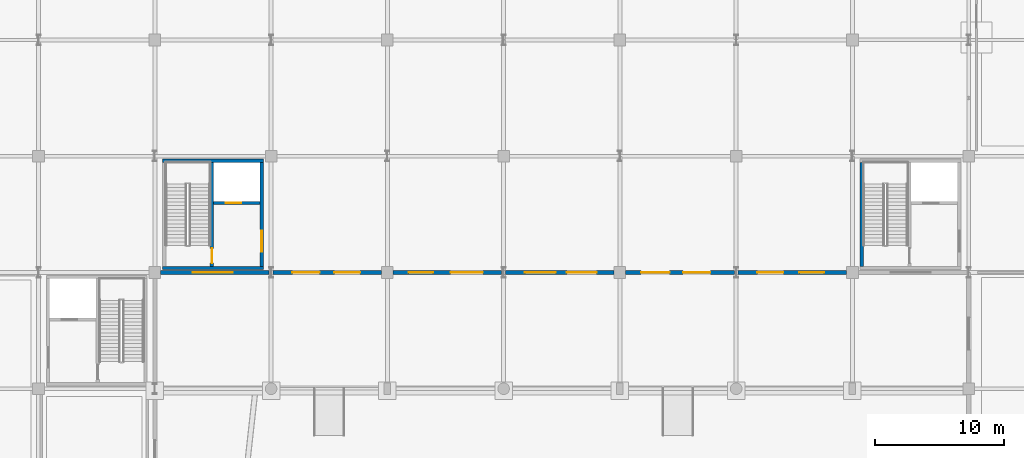
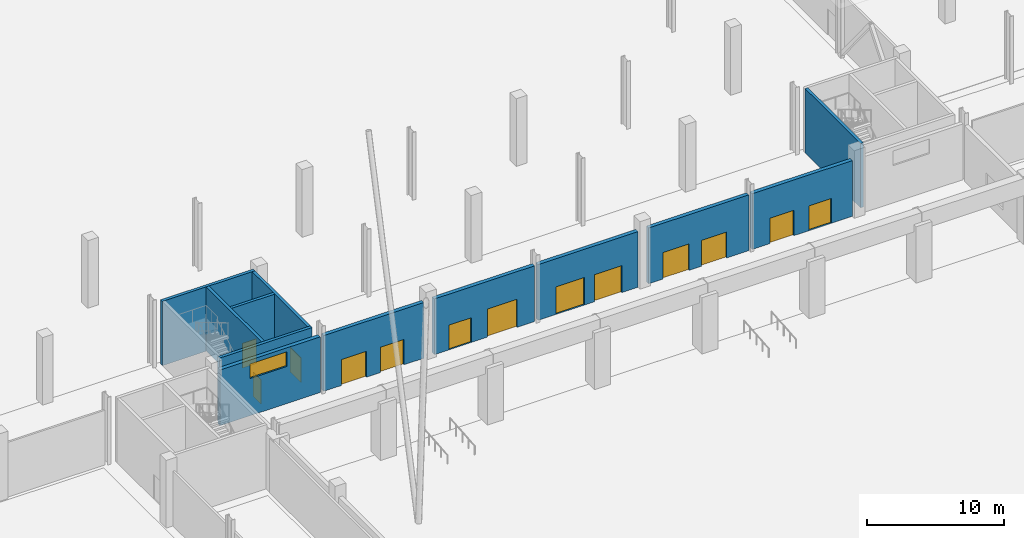
# One storey, part 31 of 58: 13 doors, 12 walls, 1 window, 14 openings.
"""IFC4 building model written with IfcOpenShell, lengths in metres."""

import ifcopenshell
import ifcopenshell.guid

model = None  # the IFC model being written
_history = None  # IfcOwnerHistory: only IFC2X3 demands one
_inside = {}  # id of a spatial element -> (the spatial element, [elements in it])
_under = {}  # id of a project, library or spatial element -> (it, [spatial elements below it])
_declared = {}  # id of a project -> (the project, [libraries it declares])
_typed = {}  # id of a type object -> (the type object, [elements of that type])
_made_of = {}  # id of a material, layer set ... -> (it, [elements and type objects made of it])


def new_model(schema):
    """Start an empty IFC model of exactly this schema.

    Asked for "IFC4X3", IfcOpenShell would pick the latest addendum, in which some entities
    have other attributes; the version numbers below select the first issue.
    IFC2X3 requires an IfcOwnerHistory on every rooted entity: one is made here for all.
    """
    global model, _history
    if schema == "IFC4X3":
        model = ifcopenshell.file(schema_version=(4, 3, 0, 0))
    else:
        model = ifcopenshell.file(schema=schema)
    _inside.clear()
    _under.clear()
    _declared.clear()
    _typed.clear()
    _made_of.clear()
    _history = None
    if model.schema == "IFC2X3":
        org = make("IfcOrganization", Name="unknown")
        user = make(
            "IfcPersonAndOrganization",
            ThePerson=make("IfcPerson", FamilyName="unknown"),
            TheOrganization=org,
        )
        app = make(
            "IfcApplication",
            ApplicationDeveloper=org,
            Version="unknown",
            ApplicationFullName="unknown",
            ApplicationIdentifier="unknown",
        )
        _history = make(
            "IfcOwnerHistory",
            OwningUser=user,
            OwningApplication=app,
            ChangeAction="ADDED",
            CreationDate=0,
        )
    return model


def make(cls, **values):
    """One entity of the class cls with the attributes given. An attribute that is None is left unset."""
    return model.create_entity(
        cls, **{name: value for name, value in values.items() if value is not None}
    )


def rooted(cls, **values):
    """An entity with a GlobalId (a new one), such as an element, a storey or a relation."""
    return make(cls, GlobalId=ifcopenshell.guid.new(), OwnerHistory=_history, **values)


def si_unit(unit_type, name, prefix=None):
    """IfcSIUnit, for example si_unit("LENGTHUNIT", "METRE", prefix="MILLI")."""
    return make("IfcSIUnit", UnitType=unit_type, Prefix=prefix, Name=name)


def assignment(units):
    """IfcUnitAssignment: the units of a project."""
    return None if units is None else make("IfcUnitAssignment", Units=units)


def point(xyz):
    """IfcCartesianPoint."""
    return None if xyz is None else make("IfcCartesianPoint", Coordinates=xyz)


def direction(xyz):
    """IfcDirection."""
    return None if xyz is None else make("IfcDirection", DirectionRatios=xyz)


def frame(location, z_axis=None, x_axis=None):
    """IfcAxis2Placement3D, a coordinate frame: its origin and axes. An axis left out is left unset."""
    return make(
        "IfcAxis2Placement3D",
        Location=point(location),
        Axis=direction(z_axis),
        RefDirection=direction(x_axis),
    )


def frame_2d(location, x_axis=None):
    """IfcAxis2Placement2D, a coordinate frame in the plane: its origin and x axis."""
    return make(
        "IfcAxis2Placement2D", Location=point(location), RefDirection=direction(x_axis)
    )


def origin():
    """The frame at (0, 0, 0) with its axes left unset."""
    return frame((0.0, 0.0, 0.0))


def place(relative_to, where):
    """IfcLocalPlacement: puts the frame where relative to a parent placement (None: the world)."""
    return make(
        "IfcLocalPlacement", PlacementRelTo=relative_to, RelativePlacement=where
    )


def context(
    kind, dimensions, precision=None, world=None, true_north=None, identifier=None
):
    """IfcGeometricRepresentationContext, for example the 3D "Model" context."""
    return make(
        "IfcGeometricRepresentationContext",
        ContextIdentifier=identifier,
        ContextType=kind,
        CoordinateSpaceDimension=dimensions,
        Precision=precision,
        WorldCoordinateSystem=world,
        TrueNorth=true_north,
    )


def subcontext(parent, identifier, kind, view, scale=None):
    """IfcGeometricRepresentationSubContext, for example "Body" below "Model"."""
    return make(
        "IfcGeometricRepresentationSubContext",
        ContextIdentifier=identifier,
        ContextType=kind,
        ParentContext=parent,
        TargetScale=scale,
        TargetView=view,
    )


def project(units=None, contexts=None):
    """IfcProject with its units and contexts."""
    return rooted(
        "IfcProject",
        Name="project",
        RepresentationContexts=contexts,
        UnitsInContext=assignment(units),
    )


def spatial(cls, under=None, at=None, **own):
    """A site, building, storey or space (cls), placed at a placement, below another one or the project."""
    s = rooted(cls, ObjectPlacement=at, **own)
    if under is not None:
        _under.setdefault(under.id(), (under, []))[1].append(s)
    return s


def profile(cls, at=None, kind="AREA", **sizes):
    """A parametric profile (cls). Its sizes go by their IFC names, for example OverallWidth=200.0."""
    return make(cls, ProfileType=kind, Position=at, **sizes)


def rectangle(**sizes):
    """IfcRectangleProfileDef."""
    return profile("IfcRectangleProfileDef", **sizes)


def extrude(swept, where, along, depth):
    """IfcExtrudedAreaSolid: the profile swept, set in the frame where, extruded along a direction by depth."""
    return make(
        "IfcExtrudedAreaSolid",
        SweptArea=swept,
        Position=where,
        ExtrudedDirection=direction(along),
        Depth=depth,
    )


def shape(context_of_items, identifier, shape_type, items):
    """IfcShapeRepresentation: the items that make up one representation, for example the "Body"."""
    return make(
        "IfcShapeRepresentation",
        ContextOfItems=context_of_items,
        RepresentationIdentifier=identifier,
        RepresentationType=shape_type,
        Items=items,
    )


def material(Name=None, Category=None):
    """IfcMaterial."""
    return make("IfcMaterial", Name=Name, Category=Category)


def layer(
    of_material, thickness, ventilated=None, Name=None, Category=None, Priority=None
):
    """IfcMaterialLayer: one layer of a wall or slab, of a material (None: an air gap)."""
    return make(
        "IfcMaterialLayer",
        Material=of_material,
        LayerThickness=thickness,
        IsVentilated=ventilated,
        Name=Name,
        Category=Category,
        Priority=Priority,
    )


def layer_set(layers, Name=None):
    """IfcMaterialLayerSet."""
    return make("IfcMaterialLayerSet", MaterialLayers=layers, LayerSetName=Name)


def made_of(thing, what):
    """Note that an element or type object is made of a material, layer set ...; save() writes the relation."""
    if what is not None:
        _made_of.setdefault(what.id(), (what, []))[1].append(thing)
    return thing


def type_object(cls, material=None, **own):
    """A type object (cls), such as IfcWallType, which elements share."""
    return made_of(rooted(cls, **own), material)


def element(
    cls,
    number,
    at=None,
    inside=None,
    cuts=None,
    type_object=None,
    material=None,
    context=None,
    identifier="Body",
    shape_type=None,
    held_by="IfcProductDefinitionShape",
    body=None,
    shapes=None,
    **own,
):
    """One element of the class cls, such as IfcWall. Its Tag is "e" and its number.

    at: its placement. inside: the storey or other place that contains it. cuts: it is an
    opening in that element (IfcRelVoidsElement). A single representation is given by context,
    identifier, shape_type and body (its items); several are given by shapes. held_by: the class
    of the entity that holds the representations. save() writes the other relations.
    """
    e = rooted(cls, Tag="e%d" % number, ObjectPlacement=at, **own)
    if body is not None:
        shapes = [shape(context, identifier, shape_type, body)]
    if shapes is not None:
        e.Representation = make(held_by, Representations=shapes)
    if inside is not None:
        _inside.setdefault(inside.id(), (inside, []))[1].append(e)
    if cuts is not None:
        rooted(
            "IfcRelVoidsElement", RelatingBuildingElement=cuts, RelatedOpeningElement=e
        )
    if type_object is not None:
        _typed.setdefault(type_object.id(), (type_object, []))[1].append(e)
    return made_of(e, material)


def fill(opening, filler):
    """IfcRelFillsElement: the door or window that sits in an opening."""
    return rooted(
        "IfcRelFillsElement",
        RelatingOpeningElement=opening,
        RelatedBuildingElement=filler,
    )


def aggregate(whole, parts):
    """IfcRelAggregates: a whole, such as a stair, and the parts it consists of."""
    return rooted("IfcRelAggregates", RelatingObject=whole, RelatedObjects=parts)


def save(model, path):
    """Write the relations noted so far, then the file.

    IfcRelAggregates (storeys below a building ...), IfcRelContainedInSpatialStructure (elements
    in a storey), IfcRelDefinesByType, IfcRelAssociatesMaterial and IfcRelDeclares: one each for
    every whole, place, type object, material and project.
    """
    for whole, parts in _under.values():
        aggregate(whole, parts)
    for where, things in _inside.values():
        rooted(
            "IfcRelContainedInSpatialStructure",
            RelatedElements=things,
            RelatingStructure=where,
        )
    for kind, things in _typed.values():
        rooted("IfcRelDefinesByType", RelatedObjects=things, RelatingType=kind)
    for what, things in _made_of.values():
        rooted("IfcRelAssociatesMaterial", RelatedObjects=things, RelatingMaterial=what)
    for by, libraries in _declared.values():
        rooted("IfcRelDeclares", RelatingContext=by, RelatedDefinitions=libraries)
    model.write(path)


model = new_model("IFC4")

# Units and contexts
model_context = context("Model", 3, precision=1e-05, world=origin(), true_north=direction((0.0, 1.0)))
body_context = subcontext(model_context, "Body", "Model", "MODEL_VIEW")
ifc_project = project(units=[si_unit("LENGTHUNIT", "METRE"), si_unit("AREAUNIT", "SQUARE_METRE"), si_unit("VOLUMEUNIT", "CUBIC_METRE"), si_unit("PLANEANGLEUNIT", "RADIAN"), si_unit("MASSUNIT", "GRAM", prefix="KILO")], contexts=[model_context])

# Site, building, storey
site_placement = place(None, origin())
site = spatial("IfcSite", under=ifc_project, at=site_placement, CompositionType="ELEMENT")
building_placement = place(site_placement, origin())
building = spatial("IfcBuilding", under=site, at=building_placement, Name="Barlavento Convention Centre", CompositionType="ELEMENT")
storey_placement = place(building_placement, origin())
storey = spatial("IfcBuildingStorey", under=building, at=storey_placement, Name="L00", CompositionType="ELEMENT", Elevation=0.0)

# Wall, opening, window
ifc_material_1 = material(Name="Macau dark grey granite cladding on Concrete C40/50", Category="masonry")
ifc_layer_1 = layer(ifc_material_1, 0.320068359375)
ifc_layer_set_1 = layer_set([ifc_layer_1], Name="ARC-WL-EXT-320")
wall_type_1 = type_object("IfcWallType", Name="ARC-WL-EXT-320", PredefinedType="SOLIDWALL", material=ifc_layer_set_1)
wall_1_placement = place(storey_placement, frame((63.445068359375, 45.0, 0.0), z_axis=(0.0, 0.0, 1.0), x_axis=(1.0, 0.0, 0.0)))
wall_1 = element("IfcWall", 1, at=wall_1_placement, inside=storey, type_object=wall_type_1, Name="L00 exterior wall EW01", PredefinedType="SOLIDWALL", context=body_context, shape_type="SweptSolid", body=[
    extrude(rectangle(XDim=8.408447265625, YDim=0.320068359375, at=frame_2d((4.2041015625, 0.0))), origin(), (0.0, 0.0, 1.0), 4.949951171875),
])
opening_1_placement = place(wall_1_placement, frame((2.5048828125, 0.0, 3.300048828125)))
opening_1 = element("IfcOpeningElement", 2, at=opening_1_placement, cuts=wall_1, Name="Opening WN15", PredefinedType="OPENING", context=body_context, shape_type="SweptSolid", body=[
    extrude(rectangle(XDim=3.10009765625, YDim=1.300048828125, at=frame_2d((1.550048828125, 0.64990234375))), frame((0.0, 0.169921875, 0.0), z_axis=(0.0, -1.0, 0.0), x_axis=(1.0, 0.0, 0.0)), (0.0, 0.0, 1.0), 0.340087890625),
])
ifc_material_2 = material(Name="Double-silver Low-E insulated glass", Category="glass")
window_type = type_object("IfcWindowType", Name="ARC-WN-CLER-3100X1300", PartitioningType="TRIPLE_PANEL_VERTICAL", PredefinedType="WINDOW", material=ifc_material_2)
window_placement = place(opening_1_placement, origin())
window = element("IfcWindow", 3, at=window_placement, inside=storey, type_object=window_type, Name="L00 exterior Low-E window WN15", OverallHeight=1.300048828125, OverallWidth=3.10009765625, PartitioningType="SINGLE_PANEL", PredefinedType="WINDOW", context=body_context, shape_type="SweptSolid", body=[
    extrude(rectangle(XDim=3.10009765625, YDim=1.300048828125, at=frame_2d((1.550048828125, 0.64990234375))), frame((0.0, 0.030029296875, 0.0), z_axis=(0.0, -1.0, 0.0), x_axis=(1.0, 0.0, 0.0)), (0.0, 0.0, 1.0), 0.06005859375),
])
fill(opening_1, window)

# Wall, openings, doors
wall_2_placement = place(storey_placement, frame((72.146484375, 45.0, 0.0), z_axis=(0.0, 0.0, 1.0), x_axis=(1.0, 0.0, 0.0)))
wall_2 = element("IfcWall", 4, at=wall_2_placement, inside=storey, type_object=wall_type_1, Name="L00 exterior wall EW01", PredefinedType="SOLIDWALL", context=body_context, shape_type="SweptSolid", body=[
    extrude(rectangle(XDim=8.408447265625, YDim=0.320068359375, at=frame_2d((4.2041015625, 0.0))), origin(), (0.0, 0.0, 1.0), 4.949951171875),
])
opening_2_placement = place(wall_2_placement, frame((1.50341796875, 0.0, 0.0)))
opening_2 = element("IfcOpeningElement", 5, at=opening_2_placement, cuts=wall_2, Name="Opening EX-11", PredefinedType="OPENING", context=body_context, shape_type="SweptSolid", body=[
    extrude(rectangle(XDim=2.10009765625, YDim=2.300048828125, at=frame_2d((1.050048828125, 1.14990234375))), frame((0.0, 0.169921875, 0.0), z_axis=(0.0, -1.0, 0.0), x_axis=(1.0, 0.0, 0.0)), (0.0, 0.0, 1.0), 0.340087890625),
])
opening_3_placement = place(wall_2_placement, frame((4.75341796875, 0.0, 0.0)))
opening_3 = element("IfcOpeningElement", 6, at=opening_3_placement, cuts=wall_2, Name="Opening EX-12", PredefinedType="OPENING", context=body_context, shape_type="SweptSolid", body=[
    extrude(rectangle(XDim=2.0, YDim=2.25, at=frame_2d((1.0, 1.125))), frame((0.0, 0.169921875, 0.0), z_axis=(0.0, -1.0, 0.0), x_axis=(1.0, 0.0, 0.0)), (0.0, 0.0, 1.0), 0.340087890625),
])
ifc_material_3 = material(Name="Painted galvanized steel", Category="steel")
door_type_1 = type_object("IfcDoorType", Name="ARC-DR-EXIT-2000X2250", OperationType="DOUBLE_DOOR_SINGLE_SWING", PredefinedType="DOOR", material=ifc_material_3)
door_1_placement = place(opening_3_placement, origin())
door_1 = element("IfcDoor", 7, at=door_1_placement, inside=storey, type_object=door_type_1, Name="DR-EXT-L00-0012 Concourse entrance exit door EX-12", OperationType="DOUBLE_DOOR_SINGLE_SWING", OverallHeight=2.25, OverallWidth=2.0, PredefinedType="DOOR", context=body_context, shape_type="SweptSolid", body=[
    extrude(rectangle(XDim=2.0, YDim=2.25, at=frame_2d((1.0, 1.125))), frame((0.0, 0.02490234375, 0.0), z_axis=(0.0, -1.0, 0.0), x_axis=(1.0, 0.0, 0.0)), (0.0, 0.0, 1.0), 0.050048828125),
])
fill(opening_3, door_1)
door_type_2 = type_object("IfcDoorType", Name="ARC-DR-EXIT-2100X2300", OperationType="DOUBLE_DOOR_SINGLE_SWING", PredefinedType="DOOR", material=ifc_material_3)
door_2_placement = place(opening_2_placement, origin())
door_2 = element("IfcDoor", 8, at=door_2_placement, inside=storey, type_object=door_type_2, Name="DR-EXT-L00-0011 Concourse entrance exit door EX-11", OperationType="DOUBLE_DOOR_SINGLE_SWING", OverallHeight=2.300048828125, OverallWidth=2.10009765625, PredefinedType="DOOR", context=body_context, shape_type="SweptSolid", body=[
    extrude(rectangle(XDim=2.10009765625, YDim=2.300048828125, at=frame_2d((1.050048828125, 1.14990234375))), frame((0.0, 0.02490234375, 0.0), z_axis=(0.0, -1.0, 0.0), x_axis=(1.0, 0.0, 0.0)), (0.0, 0.0, 1.0), 0.050048828125),
])
fill(opening_2, door_2)

wall_3_placement = place(storey_placement, frame((81.445068359375, 45.0, 0.0), z_axis=(0.0, 0.0, 1.0), x_axis=(1.0, 0.0, 0.0)))
wall_3 = element("IfcWall", 9, at=wall_3_placement, inside=storey, type_object=wall_type_1, Name="L00 exterior wall EW01", PredefinedType="SOLIDWALL", context=body_context, shape_type="SweptSolid", body=[
    extrude(rectangle(XDim=8.408447265625, YDim=0.320068359375, at=frame_2d((4.2041015625, 0.0))), origin(), (0.0, 0.0, 1.0), 4.949951171875),
])
opening_4_placement = place(wall_3_placement, frame((1.205078125, 0.0, 0.0)))
opening_4 = element("IfcOpeningElement", 10, at=opening_4_placement, cuts=wall_3, Name="Opening EX-13", PredefinedType="OPENING", context=body_context, shape_type="SweptSolid", body=[
    extrude(rectangle(XDim=1.89990234375, YDim=2.199951171875, at=frame_2d((0.949951171875, 1.10009765625))), frame((0.0, 0.169921875, 0.0), z_axis=(0.0, -1.0, 0.0), x_axis=(1.0, 0.0, 0.0)), (0.0, 0.0, 1.0), 0.340087890625),
])
opening_5_placement = place(wall_3_placement, frame((4.455078125, 0.0, 0.0)))
opening_5 = element("IfcOpeningElement", 11, at=opening_5_placement, cuts=wall_3, Name="Opening EX-14", PredefinedType="OPENING", context=body_context, shape_type="SweptSolid", body=[
    extrude(rectangle(XDim=2.5, YDim=2.5, at=frame_2d((1.25, 1.25))), frame((0.0, 0.169921875, 0.0), z_axis=(0.0, -1.0, 0.0), x_axis=(1.0, 0.0, 0.0)), (0.0, 0.0, 1.0), 0.340087890625),
])
door_type_3 = type_object("IfcDoorType", Name="ARC-DR-EXIT-1900X2200", OperationType="DOUBLE_DOOR_SINGLE_SWING", PredefinedType="DOOR", material=ifc_material_3)
door_3_placement = place(opening_4_placement, origin())
door_3 = element("IfcDoor", 12, at=door_3_placement, inside=storey, type_object=door_type_3, Name="DR-EXT-L00-0013 Concourse entrance exit door EX-13", OperationType="DOUBLE_DOOR_SINGLE_SWING", OverallHeight=2.199951171875, OverallWidth=1.89990234375, PredefinedType="DOOR", context=body_context, shape_type="SweptSolid", body=[
    extrude(rectangle(XDim=1.89990234375, YDim=2.199951171875, at=frame_2d((0.949951171875, 1.10009765625))), frame((0.0, 0.02490234375, 0.0), z_axis=(0.0, -1.0, 0.0), x_axis=(1.0, 0.0, 0.0)), (0.0, 0.0, 1.0), 0.050048828125),
])
fill(opening_4, door_3)
ifc_material_4 = material(Name="Anodized aluminium and tempered glass", Category="aluminium")
door_type_4 = type_object("IfcDoorType", Name="ARC-DR-EXIT-2500X2500", OperationType="DOUBLE_DOOR_SINGLE_SWING", PredefinedType="DOOR", material=ifc_material_4)
door_4_placement = place(opening_5_placement, origin())
door_4 = element("IfcDoor", 13, at=door_4_placement, inside=storey, type_object=door_type_4, Name="DR-EXT-L00-0014 Concourse entrance exit door EX-14", OperationType="DOUBLE_DOOR_SINGLE_SWING", OverallHeight=2.5, OverallWidth=2.5, PredefinedType="DOOR", context=body_context, shape_type="SweptSolid", body=[
    extrude(rectangle(XDim=2.5, YDim=2.5, at=frame_2d((1.25, 1.25))), frame((0.0, 0.02490234375, 0.0), z_axis=(0.0, -1.0, 0.0), x_axis=(1.0, 0.0, 0.0)), (0.0, 0.0, 1.0), 0.050048828125),
])
fill(opening_5, door_4)

wall_4_placement = place(storey_placement, frame((90.146484375, 45.0, 0.0), z_axis=(0.0, 0.0, 1.0), x_axis=(1.0, 0.0, 0.0)))
wall_4 = element("IfcWall", 14, at=wall_4_placement, inside=storey, type_object=wall_type_1, Name="L00 exterior wall EW01", PredefinedType="SOLIDWALL", context=body_context, shape_type="SweptSolid", body=[
    extrude(rectangle(XDim=8.408447265625, YDim=0.320068359375, at=frame_2d((4.2041015625, 0.0))), origin(), (0.0, 0.0, 1.0), 4.949951171875),
])
opening_6_placement = place(wall_4_placement, frame((1.50341796875, 0.0, 0.0)))
opening_6 = element("IfcOpeningElement", 15, at=opening_6_placement, cuts=wall_4, Name="Opening EX-15", PredefinedType="OPENING", context=body_context, shape_type="SweptSolid", body=[
    extrude(rectangle(XDim=2.39990234375, YDim=2.449951171875, at=frame_2d((1.199951171875, 1.22509765625))), frame((0.0, 0.169921875, 0.0), z_axis=(0.0, -1.0, 0.0), x_axis=(1.0, 0.0, 0.0)), (0.0, 0.0, 1.0), 0.340087890625),
])
opening_7_placement = place(wall_4_placement, frame((4.75341796875, 0.0, 0.0)))
opening_7 = element("IfcOpeningElement", 16, at=opening_7_placement, cuts=wall_4, Name="Opening EX-16", PredefinedType="OPENING", context=body_context, shape_type="SweptSolid", body=[
    extrude(rectangle(XDim=2.300048828125, YDim=2.39990234375, at=frame_2d((1.14990234375, 1.199951171875))), frame((0.0, 0.169921875, 0.0), z_axis=(0.0, -1.0, 0.0), x_axis=(1.0, 0.0, 0.0)), (0.0, 0.0, 1.0), 0.340087890625),
])
door_type_5 = type_object("IfcDoorType", Name="ARC-DR-EXIT-2300X2400", OperationType="DOUBLE_DOOR_SINGLE_SWING", PredefinedType="DOOR", material=ifc_material_4)
door_5_placement = place(opening_7_placement, origin())
door_5 = element("IfcDoor", 17, at=door_5_placement, inside=storey, type_object=door_type_5, Name="DR-EXT-L00-0016 Concourse entrance exit door EX-16", OperationType="DOUBLE_DOOR_SINGLE_SWING", OverallHeight=2.39990234375, OverallWidth=2.300048828125, PredefinedType="DOOR", context=body_context, shape_type="SweptSolid", body=[
    extrude(rectangle(XDim=2.300048828125, YDim=2.39990234375, at=frame_2d((1.14990234375, 1.199951171875))), frame((0.0, 0.02490234375, 0.0), z_axis=(0.0, -1.0, 0.0), x_axis=(1.0, 0.0, 0.0)), (0.0, 0.0, 1.0), 0.050048828125),
])
fill(opening_7, door_5)
door_type_6 = type_object("IfcDoorType", Name="ARC-DR-EXIT-2400X2450", OperationType="DOUBLE_DOOR_SINGLE_SWING", PredefinedType="DOOR", material=ifc_material_4)
door_6_placement = place(opening_6_placement, origin())
door_6 = element("IfcDoor", 18, at=door_6_placement, inside=storey, type_object=door_type_6, Name="DR-EXT-L00-0015 Concourse entrance exit door EX-15", OperationType="DOUBLE_DOOR_SINGLE_SWING", OverallHeight=2.449951171875, OverallWidth=2.39990234375, PredefinedType="DOOR", context=body_context, shape_type="SweptSolid", body=[
    extrude(rectangle(XDim=2.39990234375, YDim=2.449951171875, at=frame_2d((1.199951171875, 1.22509765625))), frame((0.0, 0.02490234375, 0.0), z_axis=(0.0, -1.0, 0.0), x_axis=(1.0, 0.0, 0.0)), (0.0, 0.0, 1.0), 0.050048828125),
])
fill(opening_6, door_6)

wall_5_placement = place(storey_placement, frame((99.445068359375, 45.0, 0.0), z_axis=(0.0, 0.0, 1.0), x_axis=(1.0, 0.0, 0.0)))
wall_5 = element("IfcWall", 19, at=wall_5_placement, inside=storey, type_object=wall_type_1, Name="L00 exterior wall EW01", PredefinedType="SOLIDWALL", context=body_context, shape_type="SweptSolid", body=[
    extrude(rectangle(XDim=8.408447265625, YDim=0.320068359375, at=frame_2d((4.2041015625, 0.0))), origin(), (0.0, 0.0, 1.0), 4.949951171875),
])
opening_8_placement = place(wall_5_placement, frame((1.205078125, 0.0, 0.0)))
opening_8 = element("IfcOpeningElement", 20, at=opening_8_placement, cuts=wall_5, Name="Opening EX-17", PredefinedType="OPENING", context=body_context, shape_type="SweptSolid", body=[
    extrude(rectangle(XDim=2.199951171875, YDim=2.35009765625, at=frame_2d((1.10009765625, 1.175048828125))), frame((0.0, 0.169921875, 0.0), z_axis=(0.0, -1.0, 0.0), x_axis=(1.0, 0.0, 0.0)), (0.0, 0.0, 1.0), 0.340087890625),
])
opening_9_placement = place(wall_5_placement, frame((4.455078125, 0.0, 0.0)))
opening_9 = element("IfcOpeningElement", 21, at=opening_9_placement, cuts=wall_5, Name="Opening EX-18", PredefinedType="OPENING", context=body_context, shape_type="SweptSolid", body=[
    extrude(rectangle(XDim=2.10009765625, YDim=2.300048828125, at=frame_2d((1.050048828125, 1.14990234375))), frame((0.0, 0.169921875, 0.0), z_axis=(0.0, -1.0, 0.0), x_axis=(1.0, 0.0, 0.0)), (0.0, 0.0, 1.0), 0.340087890625),
])
door_7_placement = place(opening_9_placement, origin())
door_7 = element("IfcDoor", 22, at=door_7_placement, inside=storey, type_object=door_type_2, Name="DR-EXT-L00-0018 Concourse entrance exit door EX-18", OperationType="DOUBLE_DOOR_SINGLE_SWING", OverallHeight=2.300048828125, OverallWidth=2.10009765625, PredefinedType="DOOR", context=body_context, shape_type="SweptSolid", body=[
    extrude(rectangle(XDim=2.10009765625, YDim=2.300048828125, at=frame_2d((1.050048828125, 1.14990234375))), frame((0.0, 0.02490234375, 0.0), z_axis=(0.0, -1.0, 0.0), x_axis=(1.0, 0.0, 0.0)), (0.0, 0.0, 1.0), 0.050048828125),
])
fill(opening_9, door_7)
door_type_7 = type_object("IfcDoorType", Name="ARC-DR-EXIT-2200X2350", OperationType="DOUBLE_DOOR_SINGLE_SWING", PredefinedType="DOOR", material=ifc_material_4)
door_8_placement = place(opening_8_placement, origin())
door_8 = element("IfcDoor", 23, at=door_8_placement, inside=storey, type_object=door_type_7, Name="DR-EXT-L00-0017 Concourse entrance exit door EX-17", OperationType="DOUBLE_DOOR_SINGLE_SWING", OverallHeight=2.35009765625, OverallWidth=2.199951171875, PredefinedType="DOOR", context=body_context, shape_type="SweptSolid", body=[
    extrude(rectangle(XDim=2.199951171875, YDim=2.35009765625, at=frame_2d((1.10009765625, 1.175048828125))), frame((0.0, 0.02490234375, 0.0), z_axis=(0.0, -1.0, 0.0), x_axis=(1.0, 0.0, 0.0)), (0.0, 0.0, 1.0), 0.050048828125),
])
fill(opening_8, door_8)

wall_6_placement = place(storey_placement, frame((108.146484375, 45.0, 0.0), z_axis=(0.0, 0.0, 1.0), x_axis=(1.0, 0.0, 0.0)))
wall_6 = element("IfcWall", 24, at=wall_6_placement, inside=storey, type_object=wall_type_1, Name="L00 exterior wall EW01", PredefinedType="SOLIDWALL", context=body_context, shape_type="SweptSolid", body=[
    extrude(rectangle(XDim=8.408447265625, YDim=0.320068359375, at=frame_2d((4.2041015625, 0.0))), origin(), (0.0, 0.0, 1.0), 4.949951171875),
])
opening_10_placement = place(wall_6_placement, frame((1.50341796875, 0.0, 0.0)))
opening_10 = element("IfcOpeningElement", 25, at=opening_10_placement, cuts=wall_6, Name="Opening EX-19", PredefinedType="OPENING", context=body_context, shape_type="SweptSolid", body=[
    extrude(rectangle(XDim=2.0, YDim=2.25, at=frame_2d((1.0, 1.125))), frame((0.0, 0.169921875, 0.0), z_axis=(0.0, -1.0, 0.0), x_axis=(1.0, 0.0, 0.0)), (0.0, 0.0, 1.0), 0.340087890625),
])
opening_11_placement = place(wall_6_placement, frame((4.75341796875, 0.0, 0.0)))
opening_11 = element("IfcOpeningElement", 26, at=opening_11_placement, cuts=wall_6, Name="Opening EX-20", PredefinedType="OPENING", context=body_context, shape_type="SweptSolid", body=[
    extrude(rectangle(XDim=1.89990234375, YDim=2.199951171875, at=frame_2d((0.949951171875, 1.10009765625))), frame((0.0, 0.169921875, 0.0), z_axis=(0.0, -1.0, 0.0), x_axis=(1.0, 0.0, 0.0)), (0.0, 0.0, 1.0), 0.340087890625),
])
door_9_placement = place(opening_11_placement, origin())
door_9 = element("IfcDoor", 27, at=door_9_placement, inside=storey, type_object=door_type_3, Name="DR-EXT-L00-0020 Concourse entrance exit door EX-20", OperationType="DOUBLE_DOOR_SINGLE_SWING", OverallHeight=2.199951171875, OverallWidth=1.89990234375, PredefinedType="DOOR", context=body_context, shape_type="SweptSolid", body=[
    extrude(rectangle(XDim=1.89990234375, YDim=2.199951171875, at=frame_2d((0.949951171875, 1.10009765625))), frame((0.0, 0.02490234375, 0.0), z_axis=(0.0, -1.0, 0.0), x_axis=(1.0, 0.0, 0.0)), (0.0, 0.0, 1.0), 0.050048828125),
])
fill(opening_11, door_9)
door_10_placement = place(opening_10_placement, origin())
door_10 = element("IfcDoor", 28, at=door_10_placement, inside=storey, type_object=door_type_1, Name="DR-EXT-L00-0019 Concourse entrance exit door EX-19", OperationType="DOUBLE_DOOR_SINGLE_SWING", OverallHeight=2.25, OverallWidth=2.0, PredefinedType="DOOR", context=body_context, shape_type="SweptSolid", body=[
    extrude(rectangle(XDim=2.0, YDim=2.25, at=frame_2d((1.0, 1.125))), frame((0.0, 0.02490234375, 0.0), z_axis=(0.0, -1.0, 0.0), x_axis=(1.0, 0.0, 0.0)), (0.0, 0.0, 1.0), 0.050048828125),
])
fill(opening_10, door_10)

# Wall, opening, door
ifc_material_5 = material(Name="Concrete C50/60", Category="concrete")
ifc_layer_2 = layer(ifc_material_5, 0.25)
ifc_layer_set_2 = layer_set([ifc_layer_2], Name="STR-WL-CORE-250")
wall_type_2 = type_object("IfcWallType", Name="STR-WL-CORE-250", PredefinedType="SHEAR", material=ifc_layer_set_2)
wall_7_placement = place(storey_placement, frame((71.27490234375, 45.469970703125, 0.0), z_axis=(0.0, 0.0, 1.0), x_axis=(0.0, 1.0, 0.0)))
wall_7 = element("IfcWall", 29, at=wall_7_placement, inside=storey, type_object=wall_type_2, Name="L00 interior wall CW-02", PredefinedType="SHEAR", context=body_context, shape_type="SweptSolid", body=[
    extrude(rectangle(XDim=8.06005859375, YDim=0.25, at=frame_2d((4.030029296875, 0.0))), origin(), (0.0, 0.0, 1.0), 5.7099609375),
])
opening_12_placement = place(wall_7_placement, frame((1.14990234375, 0.0, 0.0)))
opening_12 = element("IfcOpeningElement", 30, at=opening_12_placement, cuts=wall_7, Name="Opening FD-02", PredefinedType="OPENING", context=body_context, shape_type="SweptSolid", body=[
    extrude(rectangle(XDim=1.60009765625, YDim=2.199951171875, at=frame_2d((0.800048828125, 1.10009765625))), frame((0.0, 0.135009765625, 0.0), z_axis=(0.0, -1.0, 0.0), x_axis=(1.0, 0.0, 0.0)), (0.0, 0.0, 1.0), 0.27001953125),
])
door_type_8 = type_object("IfcDoorType", Name="ARC-DR-FIRE-1600X2200", OperationType="DOUBLE_DOOR_SINGLE_SWING", PredefinedType="DOOR", material=ifc_material_3)
door_11_placement = place(opening_12_placement, origin())
door_11 = element("IfcDoor", 31, at=door_11_placement, inside=storey, type_object=door_type_8, Name="DR-INT-L00-0030 L00 LP2 lobby fire door", OperationType="DOUBLE_DOOR_SINGLE_SWING", OverallHeight=2.199951171875, OverallWidth=1.60009765625, PredefinedType="DOOR", context=body_context, shape_type="SweptSolid", body=[
    extrude(rectangle(XDim=1.60009765625, YDim=2.199951171875, at=frame_2d((0.800048828125, 1.10009765625))), frame((0.0, 0.02490234375, 0.0), z_axis=(0.0, -1.0, 0.0), x_axis=(1.0, 0.0, 0.0)), (0.0, 0.0, 1.0), 0.050048828125),
])
fill(opening_12, door_11)

# Walls
for number, where, z_axis, x_axis, name in (
    (32, (63.60009765625, 45.344970703125, 0.0), (0.0, 0.0, 1.0), (1.0, 0.0, 0.0), "L00 interior wall CW-02"),
    (33, (63.60009765625, 53.655029296875, 0.0), (0.0, 0.0, 1.0), (1.0, 0.0, 0.0), "L00 interior wall CW-02"),
):
    element("IfcWall", number, at=place(storey_placement, frame(where, z_axis=z_axis, x_axis=x_axis)), inside=storey, type_object=wall_type_2, Name=name, PredefinedType="SHEAR", context=body_context, shape_type="SweptSolid", body=[
        extrude(rectangle(XDim=7.7998046875, YDim=0.25, at=frame_2d((3.89990234375, 0.0))), origin(), (0.0, 0.0, 1.0), 5.7099609375),
    ])

# Wall, opening, door
wall_8_placement = place(storey_placement, frame((67.4150390625, 45.469970703125, 0.0), z_axis=(0.0, 0.0, 1.0), x_axis=(0.0, 1.0, 0.0)))
wall_8 = element("IfcWall", 34, at=wall_8_placement, inside=storey, type_object=wall_type_2, Name="L00 interior wall CW-02", PredefinedType="SHEAR", context=body_context, shape_type="SweptSolid", body=[
    extrude(rectangle(XDim=8.06005859375, YDim=0.25, at=frame_2d((4.030029296875, 0.0))), origin(), (0.0, 0.0, 1.0), 5.7099609375),
])
opening_13_placement = place(wall_8_placement, frame((0.25, 0.0, 0.0)))
opening_13 = element("IfcOpeningElement", 35, at=opening_13_placement, cuts=wall_8, Name="Opening FD-03", PredefinedType="OPENING", context=body_context, shape_type="SweptSolid", body=[
    extrude(rectangle(XDim=1.14990234375, YDim=2.14990234375, at=frame_2d((0.574951171875, 1.074951171875))), frame((0.0, 0.135009765625, 0.0), z_axis=(0.0, -1.0, 0.0), x_axis=(1.0, 0.0, 0.0)), (0.0, 0.0, 1.0), 0.27001953125),
])
door_type_9 = type_object("IfcDoorType", Name="ARC-DR-FIRE-1150X2150", OperationType="NOTDEFINED", PredefinedType="DOOR", material=ifc_material_3)
door_12_placement = place(opening_13_placement, origin())
door_12 = element("IfcDoor", 36, at=door_12_placement, inside=storey, type_object=door_type_9, Name="DR-INT-L00-0028 L00 ST03 stair fire door FD-03", OperationType="SINGLE_SWING_RIGHT", OverallHeight=2.14990234375, OverallWidth=1.14990234375, PredefinedType="DOOR", context=body_context, shape_type="SweptSolid", body=[
    extrude(rectangle(XDim=1.14990234375, YDim=2.14990234375, at=frame_2d((0.574951171875, 1.074951171875))), frame((0.0, 0.02490234375, 0.0), z_axis=(0.0, -1.0, 0.0), x_axis=(1.0, 0.0, 0.0)), (0.0, 0.0, 1.0), 0.050048828125),
])
fill(opening_13, door_12)

wall_9_placement = place(storey_placement, frame((67.5400390625, 50.3701171875, 0.0), z_axis=(0.0, 0.0, 1.0), x_axis=(1.0, 0.0, 0.0)))
wall_9 = element("IfcWall", 37, at=wall_9_placement, inside=storey, type_object=wall_type_2, Name="L00 interior wall CW-02", PredefinedType="SHEAR", context=body_context, shape_type="SweptSolid", body=[
    extrude(rectangle(XDim=3.60986328125, YDim=0.25, at=frame_2d((1.804931640625, 0.0))), origin(), (0.0, 0.0, 1.0), 5.7099609375),
])
opening_14_placement = place(wall_9_placement, frame((0.949951171875, 0.0, 0.0)))
opening_14 = element("IfcOpeningElement", 38, at=opening_14_placement, cuts=wall_9, Name="Opening LD-01", PredefinedType="OPENING", context=body_context, shape_type="SweptSolid", body=[
    extrude(rectangle(XDim=1.199951171875, YDim=2.199951171875, at=frame_2d((0.60009765625, 1.10009765625))), frame((0.0, 0.135009765625, 0.0), z_axis=(0.0, -1.0, 0.0), x_axis=(1.0, 0.0, 0.0)), (0.0, 0.0, 1.0), 0.27001953125),
])
ifc_material_6 = material(Name="Brushed stainless steel", Category="steel")
door_type_10 = type_object("IfcDoorType", Name="ARC-DR-LIFT-1200X2200", OperationType="DOUBLE_DOOR_SLIDING", PredefinedType="DOOR", material=ifc_material_6)
door_13_placement = place(opening_14_placement, origin())
door_13 = element("IfcDoor", 39, at=door_13_placement, inside=storey, type_object=door_type_10, Name="DR-INT-L00-0029 LP2 lift sliding landing door", OperationType="DOUBLE_DOOR_SLIDING", OverallHeight=2.199951171875, OverallWidth=1.199951171875, PredefinedType="DOOR", context=body_context, shape_type="SweptSolid", body=[
    extrude(rectangle(XDim=1.199951171875, YDim=2.199951171875, at=frame_2d((0.60009765625, 1.10009765625))), frame((0.0, 0.02490234375, 0.0), z_axis=(0.0, -1.0, 0.0), x_axis=(1.0, 0.0, 0.0)), (0.0, 0.0, 1.0), 0.050048828125),
])
fill(opening_14, door_13)

# Wall
wall_10_placement = place(storey_placement, frame((117.72509765625, 45.469970703125, 0.0), z_axis=(0.0, 0.0, 1.0), x_axis=(0.0, 1.0, 0.0)))
element("IfcWall", 40, at=wall_10_placement, inside=storey, type_object=wall_type_2, Name="L00 interior wall CW-02", PredefinedType="SHEAR", context=body_context, shape_type="SweptSolid", body=[
    extrude(rectangle(XDim=8.06005859375, YDim=0.25, at=frame_2d((4.030029296875, 0.0))), origin(), (0.0, 0.0, 1.0), 5.7099609375),
])

save(model, "model.ifc")
